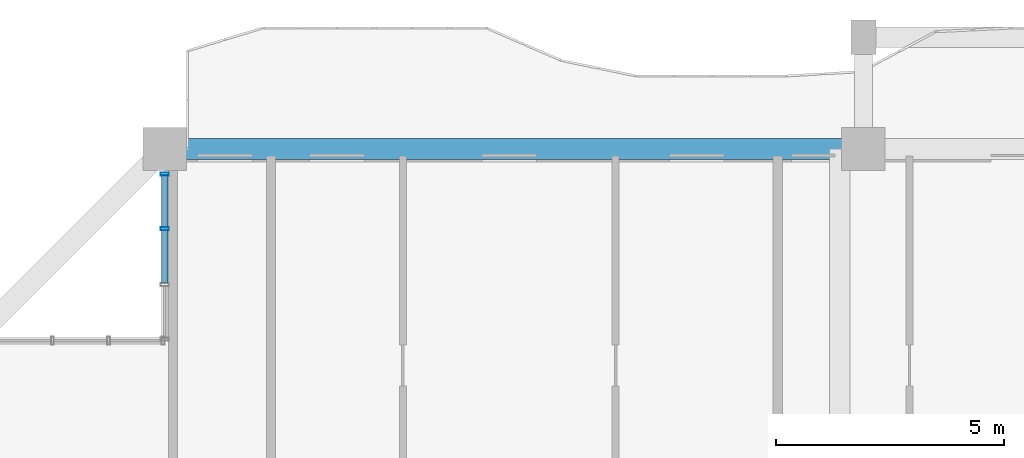
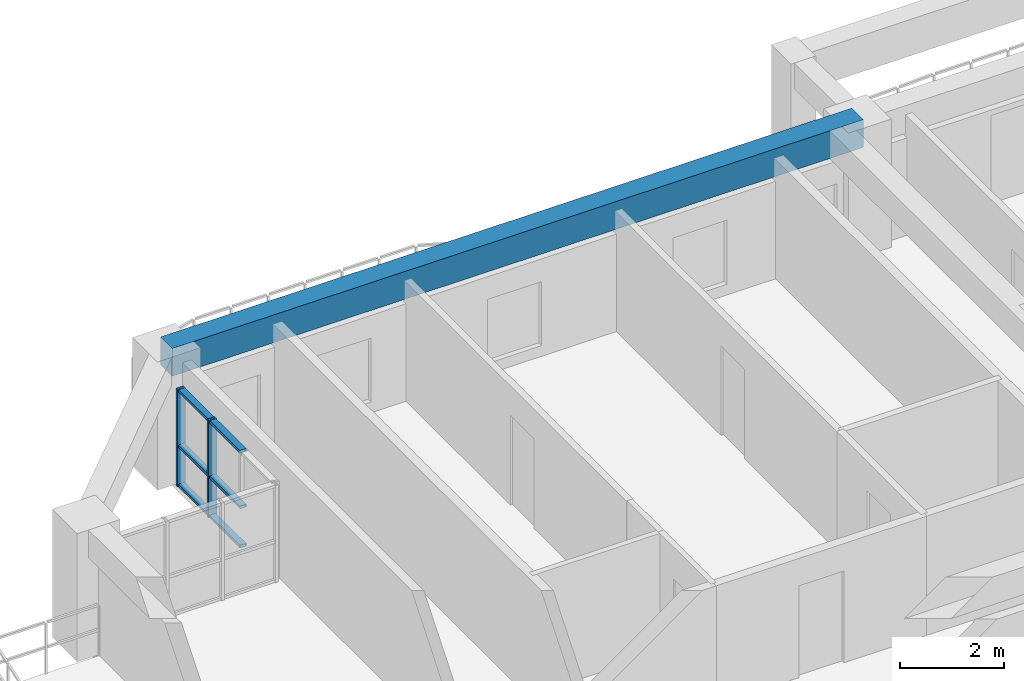
# One storey, part 8 of 26: 8 members, 1 beam, 1 element without a shape of its own.
"""IFC4 building model written with IfcOpenShell, lengths in metres."""

from ifc_helpers import new_model, si_unit, direction, frame, origin, origin_2d, place, context, subcontext, project, spatial, rectangle, hollow_rectangle, extrude, source, transform, mapped, material, layer, layer_set, material_profile, profile_set, type_object, element, aggregate, save


model = new_model("IFC4")

# Units and contexts
model_context = context("Model", 3, precision=1e-05, world=origin(), true_north=direction((0.0, 1.0)))
body_context = subcontext(model_context, "Body", "Model", "MODEL_VIEW")
ifc_project = project(units=[si_unit("LENGTHUNIT", "METRE"), si_unit("AREAUNIT", "SQUARE_METRE"), si_unit("VOLUMEUNIT", "CUBIC_METRE"), si_unit("PLANEANGLEUNIT", "RADIAN"), si_unit("MASSUNIT", "GRAM", prefix="KILO")], contexts=[model_context])

# Site, building, storey
site_placement = place(None, origin())
site = spatial("IfcSite", under=ifc_project, at=site_placement, CompositionType="ELEMENT")
building_placement = place(site_placement, origin())
building = spatial("IfcBuilding", under=site, at=building_placement, Name="Saelheon Loggia Tower", CompositionType="ELEMENT")
storey_placement = place(building_placement, frame((0.0, 0.0, 89.85009765625)))
storey = spatial("IfcBuildingStorey", under=building, at=storey_placement, Name="L28", CompositionType="ELEMENT", Elevation=89.85009765625)

# Beam
ifc_material_1 = material(Name="Concrete C40/50", Category="concrete")
ifc_material_profile_1 = material_profile(ifc_material_1, rectangle(XDim=0.449951171875, YDim=0.64990234375, at=origin_2d()), Name="RC-450x650")
ifc_profile_set_1 = profile_set([ifc_material_profile_1], Name="Concrete C40/50")
beam_type = type_object("IfcBeamType", Name="Beam_PerimTower_RC450x650", PredefinedType="BEAM", material=ifc_profile_set_1)
shared_shape_1 = source(origin(), body_context, "Body", "SweptSolid", [
    extrude(rectangle(XDim=0.449951171875, YDim=0.64990234375, at=origin_2d()), origin(), (0.0, 0.0, 1.0), 15.300048828125),
])
beam_placement = place(storey_placement, frame((31.5, 51.0, 2.6748046875), z_axis=(-1.0, 0.0, 0.0), x_axis=(0.0, -1.0, 0.0)))
element("IfcBeam", 1, at=beam_placement, inside=storey, type_object=beam_type, Name="L28 Perimeter Frame Girder 11", PredefinedType="BEAM", context=body_context, shape_type="MappedRepresentation", body=[
    mapped(shared_shape_1, transform((0.0, 0.0, 0.0), scale=1.0)),
])

# Curtain wall, members
ifc_material_2 = material(Name="Thermal-Break Aluminium and Triple Low-E Glass", Category="aluminium")
ifc_layer = layer(ifc_material_2, 0.159912109375)
ifc_layer_set = layer_set([ifc_layer], Name="Thermal-Break Aluminium and Triple Low-E Glass")
curtain_wall_type = type_object("IfcCurtainWallType", Name="CW_TowerLoggiaLow", PredefinedType="NOTDEFINED", material=ifc_layer_set)
curtain_wall_placement = place(storey_placement, origin())
curtain_wall = element("IfcCurtainWall", 2, at=curtain_wall_placement, inside=storey, type_object=curtain_wall_type, Name="L28 Corner Notch Glazing NW1", PredefinedType="NOTDEFINED")
ifc_material_3 = material(Name="Anodised Aluminium 6063-T6", Category="aluminium")
ifc_material_profile_2 = material_profile(ifc_material_3, hollow_rectangle(XDim=0.06494140625, YDim=0.179931640625, WallThickness=0.00390625, at=origin_2d()), Name="RHS-180x65x4")
ifc_profile_set_2 = profile_set([ifc_material_profile_2], Name="Anodised Aluminium 6063-T6")
member_type_1 = type_object("IfcMemberType", Name="CW_TowerLoggiaLow_Mullion", PredefinedType="MULLION", material=ifc_profile_set_2)
shared_shape_2 = source(origin(), body_context, "Body", "SweptSolid", [
    extrude(hollow_rectangle(XDim=0.06494140625, YDim=0.179931640625, WallThickness=0.00390625, at=origin_2d()), origin(), (0.0, 0.0, 1.0), 2.27978515625),
])
member_1_placement = place(storey_placement, frame((16.199951171875, 49.256591796875, 0.0), z_axis=(0.0, 0.0, 1.0), x_axis=(0.0, 1.0, 0.0)))
member_1 = element("IfcMember", 3, at=member_1_placement, type_object=member_type_1, Name="CW3 mullion 3", PredefinedType="MULLION", context=body_context, shape_type="MappedRepresentation", body=[
    mapped(shared_shape_2, transform((0.0, 0.0, 0.0), scale=1.0)),
])
member_2_placement = place(storey_placement, frame((16.199951171875, 50.452392578125, 0.0), z_axis=(0.0, 0.0, 1.0), x_axis=(0.0, 1.0, 0.0)))
member_2 = element("IfcMember", 4, at=member_2_placement, type_object=member_type_1, Name="CW3 mullion 4", PredefinedType="MULLION", context=body_context, shape_type="MappedRepresentation", body=[
    mapped(shared_shape_2, transform((0.0, 0.0, 0.0), scale=1.0)),
])
ifc_material_profile_3 = material_profile(ifc_material_3, hollow_rectangle(XDim=0.06494140625, YDim=0.139892578125, WallThickness=0.00390625, at=origin_2d()), Name="RHS-140x65x4")
ifc_profile_set_3 = profile_set([ifc_material_profile_3], Name="Anodised Aluminium 6063-T6")
member_type_2 = type_object("IfcMemberType", Name="CW_TowerLoggiaLow_Transom", PredefinedType="USERDEFINED", material=ifc_profile_set_3)
shared_shape_3 = source(origin(), body_context, "Body", "SweptSolid", [
    extrude(hollow_rectangle(XDim=0.06494140625, YDim=0.139892578125, WallThickness=0.00390625, at=origin_2d()), origin(), (0.0, 0.0, 1.0), 1.130859375),
])
member_3_placement = place(storey_placement, frame((16.199951171875, 49.2890625, 0.032470703125), z_axis=(0.0, 1.0, 0.0), x_axis=(0.0, 0.0, 1.0)))
member_3 = element("IfcMember", 5, at=member_3_placement, type_object=member_type_2, Name="CW3 transom 3.1", ObjectType="TRANSOM", PredefinedType="USERDEFINED", context=body_context, shape_type="MappedRepresentation", body=[
    mapped(shared_shape_3, transform((0.0, 0.0, 0.0), scale=1.0)),
])
member_4_placement = place(storey_placement, frame((16.199951171875, 49.2890625, 0.949951171875), z_axis=(0.0, 1.0, 0.0), x_axis=(0.0, 0.0, 1.0)))
member_4 = element("IfcMember", 6, at=member_4_placement, type_object=member_type_2, Name="CW3 transom 3.2", ObjectType="TRANSOM", PredefinedType="USERDEFINED", context=body_context, shape_type="MappedRepresentation", body=[
    mapped(shared_shape_3, transform((0.0, 0.0, 0.0), scale=1.0)),
])
member_5_placement = place(storey_placement, frame((16.199951171875, 49.2890625, 2.247314453125), z_axis=(0.0, 1.0, 0.0), x_axis=(0.0, 0.0, 1.0)))
member_5 = element("IfcMember", 7, at=member_5_placement, type_object=member_type_2, Name="CW3 transom 3.3", ObjectType="TRANSOM", PredefinedType="USERDEFINED", context=body_context, shape_type="MappedRepresentation", body=[
    mapped(shared_shape_3, transform((0.0, 0.0, 0.0), scale=1.0)),
])
shared_shape_4 = source(origin(), body_context, "Body", "SweptSolid", [
    extrude(hollow_rectangle(XDim=0.06494140625, YDim=0.139892578125, WallThickness=0.00390625, at=origin_2d()), origin(), (0.0, 0.0, 1.0), 1.163330078125),
])
member_6_placement = place(storey_placement, frame((16.199951171875, 48.060791015625, 0.032470703125), z_axis=(0.0, 1.0, 0.0), x_axis=(0.0, 0.0, 1.0)))
member_6 = element("IfcMember", 8, at=member_6_placement, type_object=member_type_2, Name="CW3 transom 2.1", ObjectType="TRANSOM", PredefinedType="USERDEFINED", context=body_context, shape_type="MappedRepresentation", body=[
    mapped(shared_shape_4, transform((0.0, 0.0, 0.0), scale=1.0)),
])
member_7_placement = place(storey_placement, frame((16.199951171875, 48.060791015625, 0.949951171875), z_axis=(0.0, 1.0, 0.0), x_axis=(0.0, 0.0, 1.0)))
member_7 = element("IfcMember", 9, at=member_7_placement, type_object=member_type_2, Name="CW3 transom 2.2", ObjectType="TRANSOM", PredefinedType="USERDEFINED", context=body_context, shape_type="MappedRepresentation", body=[
    mapped(shared_shape_4, transform((0.0, 0.0, 0.0), scale=1.0)),
])
member_8_placement = place(storey_placement, frame((16.199951171875, 48.060791015625, 2.247314453125), z_axis=(0.0, 1.0, 0.0), x_axis=(0.0, 0.0, 1.0)))
member_8 = element("IfcMember", 10, at=member_8_placement, type_object=member_type_2, Name="CW3 transom 2.3", ObjectType="TRANSOM", PredefinedType="USERDEFINED", context=body_context, shape_type="MappedRepresentation", body=[
    mapped(shared_shape_4, transform((0.0, 0.0, 0.0), scale=1.0)),
])
aggregate(curtain_wall, [member_1, member_2, member_6, member_7, member_8, member_3, member_4, member_5])

save(model, "model.ifc")
